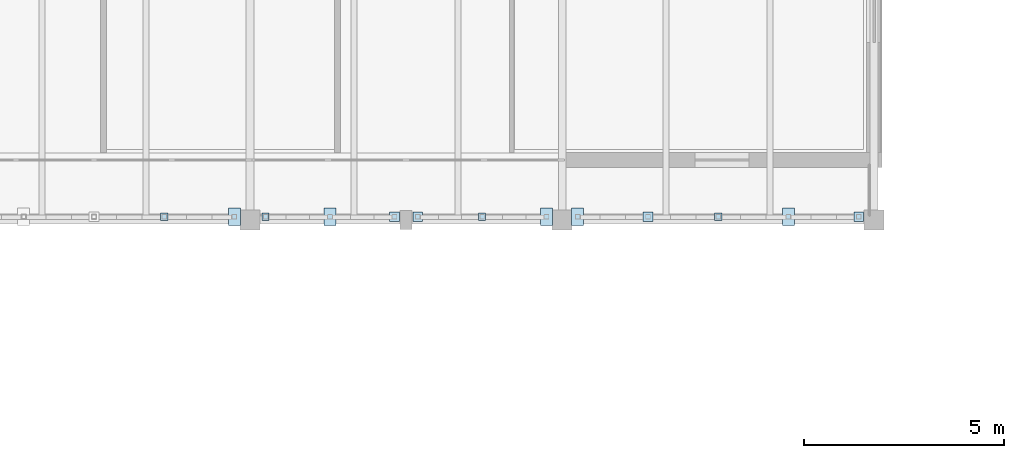
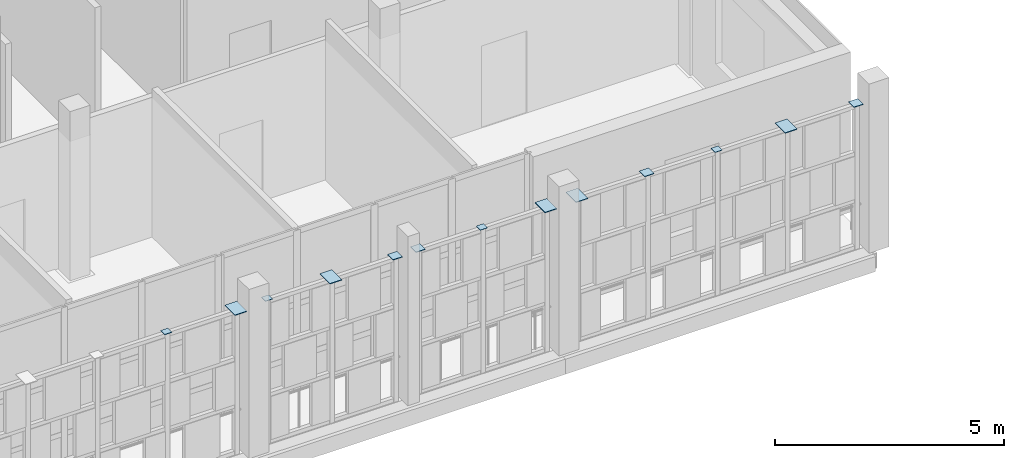
# One storey, part 64 of 89: 13 plates.
"""IFC4 building model written with IfcOpenShell, lengths in metres."""

from ifc_helpers import new_model, si_unit, direction, frame, origin, origin_2d, place, context, subcontext, project, spatial, rectangle, extrude, material, layer, layer_set, type_object, element, save


model = new_model("IFC4")

# Units and contexts
model_context = context("Model", 3, precision=1e-05, world=origin(), true_north=direction((0.0, 1.0)))
body_context = subcontext(model_context, "Body", "Model", "MODEL_VIEW")
ifc_project = project(units=[si_unit("LENGTHUNIT", "METRE"), si_unit("AREAUNIT", "SQUARE_METRE"), si_unit("VOLUMEUNIT", "CUBIC_METRE"), si_unit("PLANEANGLEUNIT", "RADIAN"), si_unit("MASSUNIT", "GRAM", prefix="KILO")], contexts=[model_context])

# Site, building, storey
site_placement = place(None, origin())
site = spatial("IfcSite", under=ifc_project, at=site_placement, CompositionType="ELEMENT")
building_placement = place(site_placement, origin())
building = spatial("IfcBuilding", under=site, at=building_placement, Name="Celorna Specialist Clinic", CompositionType="ELEMENT")
storey_placement = place(building_placement, frame((0.0, 0.0, 14.10009765625)))
storey = spatial("IfcBuildingStorey", under=building, at=storey_placement, Name="L03", CompositionType="ELEMENT", Elevation=14.10009765625)

# Plates
ifc_material = material(Name="Steel S355", Category="steel")
ifc_layer_1 = layer(ifc_material, 0.011962890625, Name="Steel S355")
ifc_layer_set_1 = layer_set([ifc_layer_1], Name="Steel S355")
plate_type_1 = type_object("IfcPlateType", Name="EP-06", PredefinedType="SHEET", material=ifc_layer_set_1)
for number, where, z_axis, x_axis, name in (
    (1, (114.85498046875, 96.580078125, 3.83984375), (0.0, 0.0, 1.0), (1.0, 0.0, 0.0), "Screen post cap plate EP-06 #1404"),
    (2, (117.389892578125, 96.580078125, 3.83984375), (0.0, 0.0, 1.0), (1.0, 0.0, 0.0), "Screen post cap plate EP-06 #1422"),
    (3, (122.800048828125, 96.580078125, 3.83984375), (0.0, 0.0, 1.0), (1.0, 0.0, 0.0), "Screen post cap plate EP-06 #1434"),
    (4, (128.699951171875, 96.580078125, 3.83984375), (0.0, 0.0, 1.0), (1.0, 0.0, 0.0), "Screen post cap plate EP-06 #1446"),
):
    element("IfcPlate", number, at=place(storey_placement, frame(where, z_axis=z_axis, x_axis=x_axis)), inside=storey, type_object=plate_type_1, Name=name, PredefinedType="SHEET", context=body_context, shape_type="SweptSolid", body=[
        extrude(rectangle(XDim=0.179931640625, YDim=0.179931640625, at=origin_2d()), origin(), (0.0, 0.0, 1.0), 0.011962890625),
    ])
ifc_layer_2 = layer(ifc_material, 0.01611328125, Name="Steel S355")
ifc_layer_set_2 = layer_set([ifc_layer_2], Name="Steel S355")
plate_type_2 = type_object("IfcPlateType", Name="EP-07", PredefinedType="SHEET", material=ifc_layer_set_2)
for number, where, z_axis, x_axis, name in (
    (5, (116.610107421875, 96.580078125, 3.83984375), (0.0, 0.0, 1.0), (1.0, 0.0, 0.0), "Screen post cap plate EP-07 #1405"),
    (6, (119.0, 96.580078125, 3.83984375), (0.0, 0.0, 1.0), (1.0, 0.0, 0.0), "Screen post cap plate EP-07 #1423"),
    (7, (124.409912109375, 96.580078125, 3.83984375), (0.0, 0.0, 1.0), (1.0, 0.0, 0.0), "Screen post cap plate EP-07 #1435"),
    (8, (125.18994140625, 96.580078125, 3.83984375), (0.0, 0.0, 1.0), (1.0, 0.0, 0.0), "Screen post cap plate EP-07 #1444"),
    (9, (130.455078125, 96.580078125, 3.83984375), (0.0, 0.0, 1.0), (1.0, 0.0, 0.0), "Screen post cap plate EP-07 #1447"),
):
    element("IfcPlate", number, at=place(storey_placement, frame(where, z_axis=z_axis, x_axis=x_axis)), inside=storey, type_object=plate_type_2, Name=name, PredefinedType="SHEET", context=body_context, shape_type="SweptSolid", body=[
        extrude(rectangle(XDim=0.300048828125, YDim=0.43994140625, at=origin_2d()), origin(), (0.0, 0.0, 1.0), 0.01611328125),
    ])
ifc_layer_3 = layer(ifc_material, 0.013916015625, Name="Steel S355")
ifc_layer_set_3 = layer_set([ifc_layer_3], Name="Steel S355")
plate_type_3 = type_object("IfcPlateType", Name="EP-08", PredefinedType="SHEET", material=ifc_layer_set_3)
for number, where, z_axis, x_axis, name in (
    (10, (120.610107421875, 96.580078125, 3.83984375), (0.0, 0.0, 1.0), (1.0, 0.0, 0.0), "Screen post cap plate EP-08 #1424"),
    (11, (121.18994140625, 96.580078125, 3.83984375), (0.0, 0.0, 1.0), (1.0, 0.0, 0.0), "Screen post cap plate EP-08 #1433"),
    (12, (126.945068359375, 96.580078125, 3.83984375), (0.0, 0.0, 1.0), (1.0, 0.0, 0.0), "Screen post cap plate EP-08 #1445"),
    (13, (132.2099609375, 96.580078125, 3.83984375), (0.0, 0.0, 1.0), (1.0, 0.0, 0.0), "Screen post cap plate EP-08 #1448"),
):
    element("IfcPlate", number, at=place(storey_placement, frame(where, z_axis=z_axis, x_axis=x_axis)), inside=storey, type_object=plate_type_3, Name=name, PredefinedType="SHEET", context=body_context, shape_type="SweptSolid", body=[
        extrude(rectangle(XDim=0.239990234375, YDim=0.239990234375, at=origin_2d()), origin(), (0.0, 0.0, 1.0), 0.013916015625),
    ])

save(model, "model.ifc")
